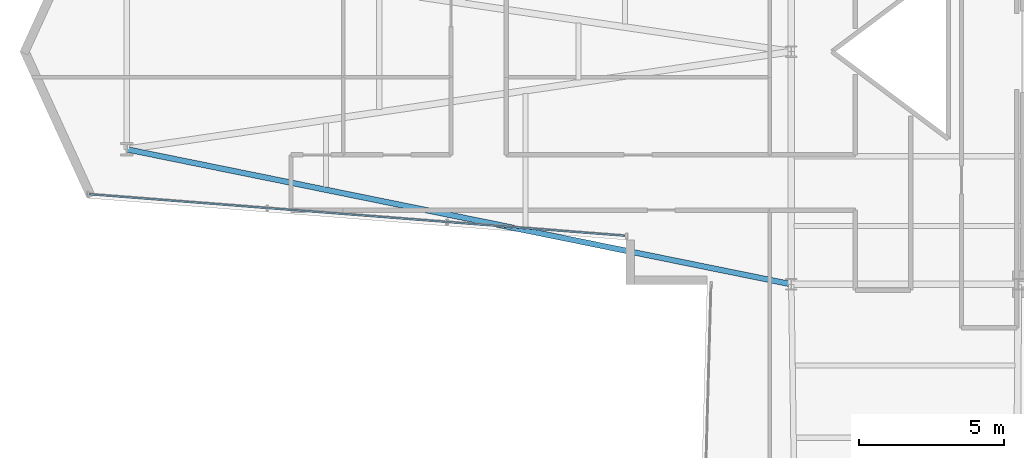
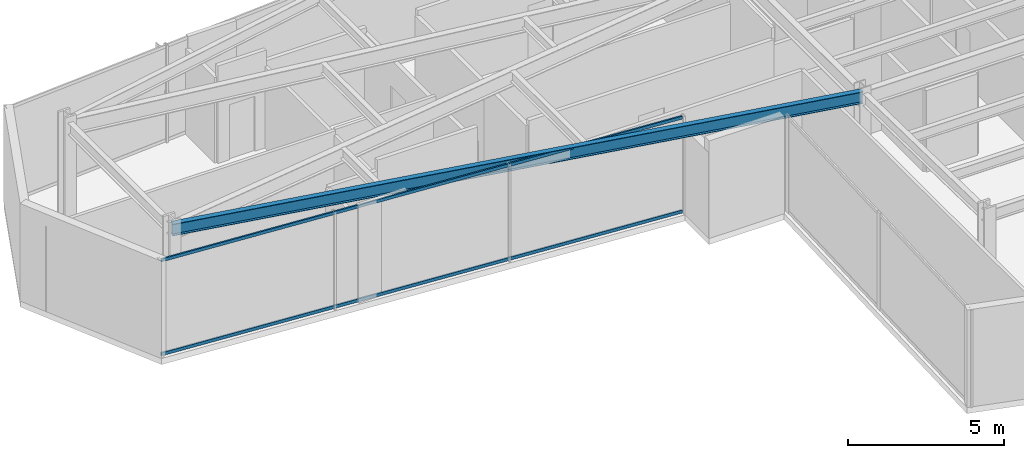
# One storey, part 3 of 30: 2 members, 1 beam, 1 element without a shape of its own.
"""IFC4 building model written with IfcOpenShell, lengths in metres."""

from ifc_helpers import new_model, si_unit, direction, frame, origin, origin_2d, place, context, subcontext, project, spatial, hollow_rectangle, i_section, extrude, material, layer, layer_set, material_profile, profile_set, type_object, element, aggregate, save


model = new_model("IFC4")

# Units and contexts
model_context = context("Model", 3, precision=1e-05, world=origin(), true_north=direction((0.0, 1.0)))
body_context = subcontext(model_context, "Body", "Model", "MODEL_VIEW")
ifc_project = project(units=[si_unit("LENGTHUNIT", "METRE"), si_unit("AREAUNIT", "SQUARE_METRE"), si_unit("VOLUMEUNIT", "CUBIC_METRE"), si_unit("PLANEANGLEUNIT", "RADIAN"), si_unit("MASSUNIT", "GRAM", prefix="KILO")], contexts=[model_context])

# Site, building, storey
site_placement = place(None, origin())
site = spatial("IfcSite", under=ifc_project, at=site_placement, CompositionType="ELEMENT")
building_placement = place(site_placement, origin())
building = spatial("IfcBuilding", under=site, at=building_placement, Name="Veymaron Broadcast Tower", CompositionType="ELEMENT")
storey_placement = place(building_placement, frame((0.0, 0.0, 49.949951171875)))
storey = spatial("IfcBuildingStorey", under=building, at=storey_placement, Name="L10", CompositionType="ELEMENT", Elevation=49.949951171875)

# Beam
ifc_material_1 = material(Name="Structural steel ASTM A992 Gr 50", Category="steel")
ifc_material_profile_1 = material_profile(ifc_material_1, i_section(OverallWidth=0.19091796875, OverallDepth=0.4599609375, WebThickness=0.010009765625, FlangeThickness=0.01611328125, at=origin_2d()), Name="W460X82")
ifc_profile_set_1 = profile_set([ifc_material_profile_1], Name="Structural steel ASTM A992 Gr 50")
beam_type = type_object("IfcBeamType", Name="BM-SP1", PredefinedType="SPANDREL", material=ifc_profile_set_1)
beam_placement = place(storey_placement, frame((8.35205078125, 20.639892578125, 3.580078125), z_axis=(0.979996415333, -0.199015139963, 0.0), x_axis=(0.199015139963, 0.979996415333, 0.0)))
element("IfcBeam", 1, at=beam_placement, inside=storey, type_object=beam_type, Name="L10 primary structural floor girder", PredefinedType="SPANDREL", context=body_context, shape_type="SweptSolid", body=[
    extrude(i_section(OverallWidth=0.19091796875, OverallDepth=0.4599609375, WebThickness=0.010009765625, FlangeThickness=0.01611328125, at=origin_2d()), origin(), (0.0, 0.0, 1.0), 23.314208984375),
])

# Curtain wall, members
ifc_material_2 = material(Name="Anodised aluminium AA 6063-T6 and laminated low-E dark glass", Category="aluminium")
ifc_layer = layer(ifc_material_2, 0.179931640625)
ifc_layer_set = layer_set([ifc_layer], Name="Anodised aluminium AA 6063-T6 and laminated low-E dark glass")
curtain_wall_type = type_object("IfcCurtainWallType", Name="CW-SYS-02", PredefinedType="NOTDEFINED", material=ifc_layer_set)
curtain_wall_placement = place(storey_placement, origin())
curtain_wall = element("IfcCurtainWall", 2, at=curtain_wall_placement, inside=storey, type_object=curtain_wall_type, Name="L10 dark-glass curtain wall CW-L10-E14-1", PredefinedType="NOTDEFINED")
ifc_material_3 = material(Name="Anodised aluminium AA 6063-T6", Category="aluminium")
ifc_material_profile_2 = material_profile(ifc_material_3, hollow_rectangle(XDim=0.06005859375, YDim=0.1201171875, WallThickness=0.00390625, at=origin_2d()), Name="AL120X60X4")
ifc_profile_set_2 = profile_set([ifc_material_profile_2], Name="Anodised aluminium AA 6063-T6")
member_type = type_object("IfcMemberType", Name="CW-TRN-02", PredefinedType="USERDEFINED", material=ifc_profile_set_2)
member_1_placement = place(storey_placement, frame((7.060791015625, 19.095947265625, 0.070068359375), z_axis=(0.997009170572, -0.07728333453, 0.0), x_axis=(0.07728333453, 0.997009170572, 0.0)))
member_1 = element("IfcMember", 3, at=member_1_placement, type_object=member_type, Name="CW-L10-E14-1 transom B", ObjectType="TRANSOM", PredefinedType="USERDEFINED", context=body_context, shape_type="SweptSolid", body=[
    extrude(hollow_rectangle(XDim=0.06005859375, YDim=0.1201171875, WallThickness=0.00390625, at=origin_2d()), origin(), (0.0, 0.0, 1.0), 18.4833984375),
])
member_2_placement = place(storey_placement, frame((7.060791015625, 19.095947265625, 3.739990234375), z_axis=(0.997009170572, -0.07728333453, 0.0), x_axis=(0.07728333453, 0.997009170572, 0.0)))
member_2 = element("IfcMember", 4, at=member_2_placement, type_object=member_type, Name="CW-L10-E14-1 transom T", ObjectType="TRANSOM", PredefinedType="USERDEFINED", context=body_context, shape_type="SweptSolid", body=[
    extrude(hollow_rectangle(XDim=0.06005859375, YDim=0.1201171875, WallThickness=0.00390625, at=origin_2d()), origin(), (0.0, 0.0, 1.0), 18.4833984375),
])
aggregate(curtain_wall, [member_1, member_2])

save(model, "model.ifc")
